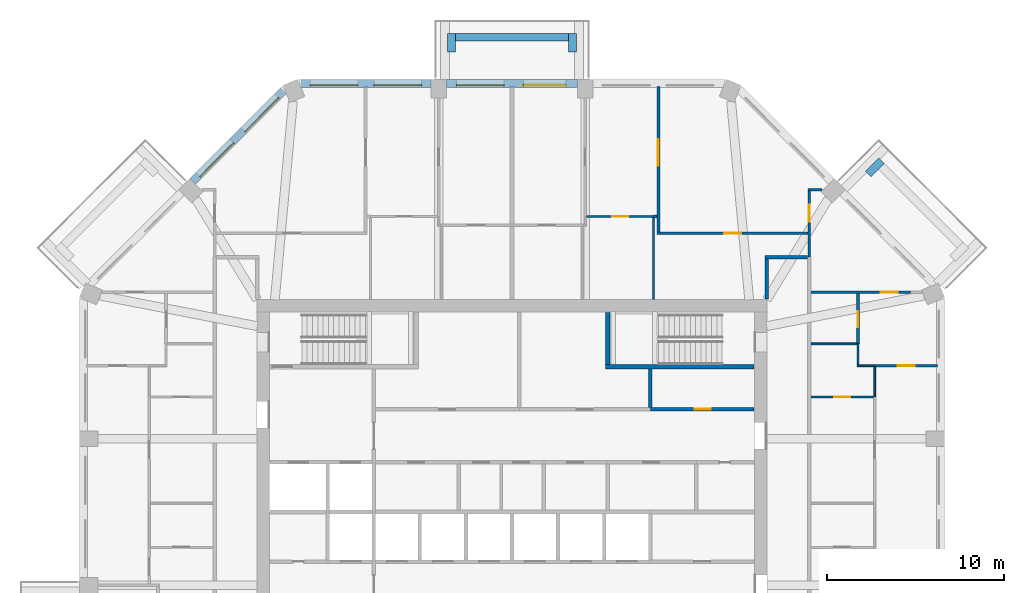
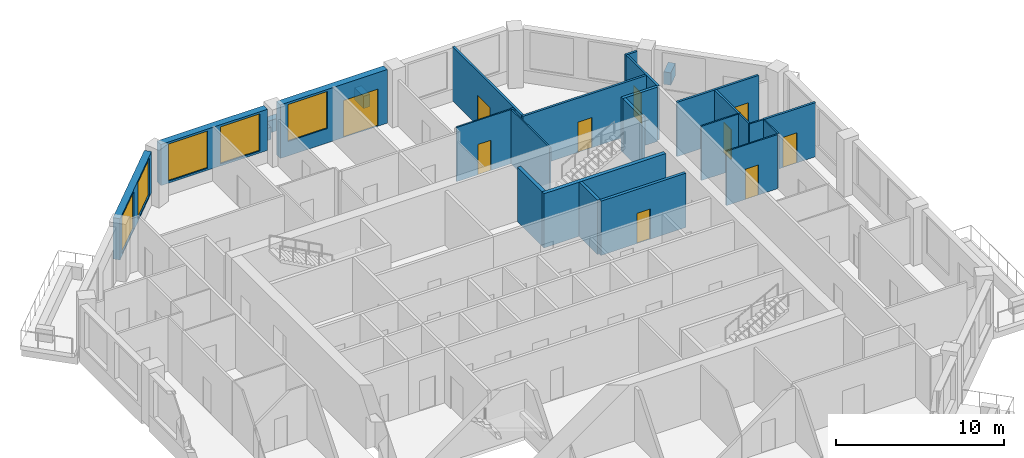
# One storey, part 8 of 10: 28 walls, 10 doors, 5 windows, 15 openings.
"""IFC4 building model written with IfcOpenShell, lengths in metres."""

from ifc_helpers import new_model, si_unit, direction, frame, frame_2d, origin, place, context, subcontext, project, spatial, rectangle, extrude, material, layer, layer_set, type_object, element, fill, save


model = new_model("IFC4")

# Units and contexts
model_context = context("Model", 3, precision=1e-05, world=origin(), true_north=direction((0.0, 1.0)))
body_context = subcontext(model_context, "Body", "Model", "MODEL_VIEW")
ifc_project = project(units=[si_unit("LENGTHUNIT", "METRE"), si_unit("AREAUNIT", "SQUARE_METRE"), si_unit("VOLUMEUNIT", "CUBIC_METRE"), si_unit("PLANEANGLEUNIT", "RADIAN"), si_unit("MASSUNIT", "GRAM", prefix="KILO")], contexts=[model_context])

# Site, building, storey
site_placement = place(None, origin())
site = spatial("IfcSite", under=ifc_project, at=site_placement, CompositionType="ELEMENT")
building_placement = place(site_placement, origin())
building = spatial("IfcBuilding", under=site, at=building_placement, Name="Msitu Wima Residences", CompositionType="ELEMENT")
storey_placement = place(building_placement, frame((0.0, 0.0, 195.89990234375)))
storey = spatial("IfcBuildingStorey", under=building, at=storey_placement, Name="L45", CompositionType="ELEMENT", Elevation=195.89990234375)

# Walls
ifc_material_1 = material(Name="Facing brick")
ifc_layer_1 = layer(ifc_material_1, 0.06494140625, Name="Facing brick")
ifc_material_2 = material(Name="Concrete C40/50", Category="concrete")
ifc_layer_2 = layer(ifc_material_2, 0.156005859375, Name="Concrete C40/50")
ifc_material_3 = material(Name="Waterproofing membrane")
ifc_layer_3 = layer(ifc_material_3, 0.00390625, Name="Waterproofing membrane")
ifc_material_4 = material(Name="Planting soil and planting")
ifc_layer_4 = layer(ifc_material_4, 0.22509765625, Name="Planting soil and planting")
ifc_layer_set_1 = layer_set([ifc_layer_1, ifc_layer_2, ifc_layer_3, ifc_layer_4], Name="Concrete C40/50")
wall_type_1 = type_object("IfcWallType", Name="Balcony planter PLANTER PL450", PredefinedType="USERDEFINED", material=ifc_layer_set_1)
wall_1_placement = place(storey_placement, frame((20.1328125, 19.107421875, 0.0), z_axis=(0.0, 0.0, 1.0), x_axis=(0.707106781187, 0.707106781187, 0.0)))
element("IfcWall", 1, at=wall_1_placement, inside=storey, type_object=wall_type_1, Name="Balcony planter NE0 L45", ObjectType="PLANTER", PredefinedType="USERDEFINED", context=body_context, shape_type="SweptSolid", body=[
    extrude(rectangle(XDim=1.050048828125, YDim=0.449951171875, at=frame_2d((0.52490234375, 0.0))), origin(), (0.0, 0.0, 1.0), 0.900146484375),
])
wall_2_placement = place(storey_placement, frame((3.187255859375, 26.824951171875, 0.0), z_axis=(0.0, 0.0, 1.0), x_axis=(-1.0, 0.0, 0.0)))
element("IfcWall", 2, at=wall_2_placement, inside=storey, type_object=wall_type_1, Name="Balcony planter N1 L45", ObjectType="PLANTER", PredefinedType="USERDEFINED", context=body_context, shape_type="SweptSolid", body=[
    extrude(rectangle(XDim=6.37451171875, YDim=0.449951171875, at=frame_2d((3.187255859375, 0.0))), origin(), (0.0, 0.0, 1.0), 0.900146484375),
])
for number, where, z_axis, x_axis, name in (
    (3, (3.412353515625, 26.0, 0.0), (0.0, 0.0, 1.0), (0.0, 1.0, 0.0), "Balcony planter N1 L45"),
    (4, (-3.412353515625, 26.0, 0.0), (0.0, 0.0, 1.0), (0.0, 1.0, 0.0), "Balcony planter N1 L45"),
):
    element("IfcWall", number, at=place(storey_placement, frame(where, z_axis=z_axis, x_axis=x_axis)), inside=storey, type_object=wall_type_1, Name=name, ObjectType="PLANTER", PredefinedType="USERDEFINED", context=body_context, shape_type="SweptSolid", body=[
        extrude(rectangle(XDim=1.050048828125, YDim=0.449951171875, at=frame_2d((0.52490234375, 0.0))), origin(), (0.0, 0.0, 1.0), 0.900146484375),
    ])

# Wall, openings, door, window
ifc_material_5 = material(Name="Brick (red buff mix)", Category="masonry")
ifc_layer_5 = layer(ifc_material_5, 0.449951171875)
ifc_layer_set_2 = layer_set([ifc_layer_5], Name="Brick (red buff mix)")
wall_type_2 = type_object("IfcWallType", Name="Brick infill wall BW450", PredefinedType="SOLIDWALL", material=ifc_layer_set_2)
wall_3_placement = place(storey_placement, frame((3.687255859375, 24.22509765625, 0.0), z_axis=(0.0, 0.0, 1.0), x_axis=(-1.0, 0.0, 0.0)))
wall_3 = element("IfcWall", 5, at=wall_3_placement, inside=storey, type_object=wall_type_2, Name="Brick infill wall L45 N1", PredefinedType="SOLIDWALL", context=body_context, shape_type="SweptSolid", body=[
    extrude(rectangle(XDim=7.37451171875, YDim=0.449951171875, at=frame_2d((3.687255859375, 0.0))), origin(), (0.0, 0.0, 1.0), 3.900146484375),
])
opening_1_placement = place(wall_3_placement, frame((0.6435546875, 0.0, 0.0)))
opening_1 = element("IfcOpeningElement", 6, at=opening_1_placement, cuts=wall_3, Name="Opening D43-45.002", PredefinedType="OPENING", context=body_context, shape_type="SweptSolid", body=[
    extrude(rectangle(XDim=2.39990234375, YDim=2.699951171875, at=frame_2d((1.199951171875, 1.35009765625))), frame((0.0, 0.23486328125, 0.0), z_axis=(0.0, -1.0, 0.0), x_axis=(1.0, 0.0, 0.0)), (0.0, 0.0, 1.0), 0.469970703125),
])
opening_2_placement = place(wall_3_placement, frame((4.13720703125, 0.0, 1.050048828125)))
opening_2 = element("IfcOpeningElement", 7, at=opening_2_placement, cuts=wall_3, Name="Opening W43-45.008", PredefinedType="OPENING", context=body_context, shape_type="SweptSolid", body=[
    extrude(rectangle(XDim=2.699951171875, YDim=2.699951171875, at=frame_2d((1.35009765625, 1.35009765625))), frame((0.0, 0.23486328125, 0.0), z_axis=(0.0, -1.0, 0.0), x_axis=(1.0, 0.0, 0.0)), (0.0, 0.0, 1.0), 0.469970703125),
])
ifc_material_6 = material(Name="Anodised aluminium, bronze finish, clear low-emissivity double glazing", Category="aluminium")
door_type_1 = type_object("IfcDoorType", Name="Balcony door D2400x2700", OperationType="SLIDING_TO_LEFT", PredefinedType="DOOR", material=ifc_material_6)
door_1_placement = place(opening_1_placement, origin())
door_1 = element("IfcDoor", 8, at=door_1_placement, inside=storey, type_object=door_type_1, Name="Balcony door L45 N1", OperationType="SINGLE_SWING_LEFT", OverallHeight=2.699951171875, OverallWidth=2.39990234375, PredefinedType="DOOR", context=body_context, shape_type="SweptSolid", body=[
    extrude(rectangle(XDim=2.39990234375, YDim=2.699951171875, at=frame_2d((1.199951171875, 1.35009765625))), frame((0.0, 0.1298828125, 0.0), z_axis=(0.0, -1.0, 0.0), x_axis=(1.0, 0.0, 0.0)), (0.0, 0.0, 1.0), 0.050048828125),
])
fill(opening_1, door_1)
window_type = type_object("IfcWindowType", Name="Window W2700x2700", PartitioningType="DOUBLE_PANEL_VERTICAL", PredefinedType="WINDOW", material=ifc_material_6)
window_1_placement = place(opening_2_placement, origin())
window_1 = element("IfcWindow", 9, at=window_1_placement, inside=storey, type_object=window_type, Name="Window L45 N1.2", OverallHeight=2.699951171875, OverallWidth=2.699951171875, PartitioningType="SINGLE_PANEL", PredefinedType="WINDOW", context=body_context, shape_type="SweptSolid", body=[
    extrude(rectangle(XDim=2.699951171875, YDim=2.699951171875, at=frame_2d((1.35009765625, 1.35009765625))), frame((0.0, 0.135009765625, 0.0), z_axis=(0.0, -1.0, 0.0), x_axis=(1.0, 0.0, 0.0)), (0.0, 0.0, 1.0), 0.06005859375),
])
fill(opening_2, window_1)

# Wall, openings, windows
wall_4_placement = place(storey_placement, frame((-4.587158203125, 24.22509765625, 0.900146484375), z_axis=(0.0, 0.0, 1.0), x_axis=(-1.0, 0.0, 0.0)))
wall_4 = element("IfcWall", 10, at=wall_4_placement, inside=storey, type_object=wall_type_2, Name="Brick infill wall L45 N2", PredefinedType="SOLIDWALL", context=body_context, shape_type="SweptSolid", body=[
    extrude(rectangle(XDim=7.337646484375, YDim=0.449951171875, at=frame_2d((3.6689453125, 0.0))), origin(), (0.0, 0.0, 1.0), 3.0),
])
opening_3_placement = place(wall_4_placement, frame((0.518798828125, 0.0, 0.14990234375)))
opening_3 = element("IfcOpeningElement", 11, at=opening_3_placement, cuts=wall_4, Name="Opening W43-45.009", PredefinedType="OPENING", context=body_context, shape_type="SweptSolid", body=[
    extrude(rectangle(XDim=2.699951171875, YDim=2.699951171875, at=frame_2d((1.35009765625, 1.35009765625))), frame((0.0, 0.23486328125, 0.0), z_axis=(0.0, -1.0, 0.0), x_axis=(1.0, 0.0, 0.0)), (0.0, 0.0, 1.0), 0.469970703125),
])
opening_4_placement = place(wall_4_placement, frame((4.11865234375, 0.0, 0.14990234375)))
opening_4 = element("IfcOpeningElement", 12, at=opening_4_placement, cuts=wall_4, Name="Opening W43-45.010", PredefinedType="OPENING", context=body_context, shape_type="SweptSolid", body=[
    extrude(rectangle(XDim=2.699951171875, YDim=2.699951171875, at=frame_2d((1.35009765625, 1.35009765625))), frame((0.0, 0.23486328125, 0.0), z_axis=(0.0, -1.0, 0.0), x_axis=(1.0, 0.0, 0.0)), (0.0, 0.0, 1.0), 0.469970703125),
])
window_2_placement = place(opening_3_placement, origin())
window_2 = element("IfcWindow", 13, at=window_2_placement, inside=storey, type_object=window_type, Name="Window L45 N2.1", OverallHeight=2.699951171875, OverallWidth=2.699951171875, PartitioningType="SINGLE_PANEL", PredefinedType="WINDOW", context=body_context, shape_type="SweptSolid", body=[
    extrude(rectangle(XDim=2.699951171875, YDim=2.699951171875, at=frame_2d((1.35009765625, 1.35009765625))), frame((0.0, 0.135009765625, 0.0), z_axis=(0.0, -1.0, 0.0), x_axis=(1.0, 0.0, 0.0)), (0.0, 0.0, 1.0), 0.06005859375),
])
fill(opening_3, window_2)
window_3_placement = place(opening_4_placement, origin())
window_3 = element("IfcWindow", 14, at=window_3_placement, inside=storey, type_object=window_type, Name="Window L45 N2.2", OverallHeight=2.699951171875, OverallWidth=2.699951171875, PartitioningType="SINGLE_PANEL", PredefinedType="WINDOW", context=body_context, shape_type="SweptSolid", body=[
    extrude(rectangle(XDim=2.699951171875, YDim=2.699951171875, at=frame_2d((1.35009765625, 1.35009765625))), frame((0.0, 0.135009765625, 0.0), z_axis=(0.0, -1.0, 0.0), x_axis=(1.0, 0.0, 0.0)), (0.0, 0.0, 1.0), 0.06005859375),
])
fill(opening_4, window_3)

wall_5_placement = place(storey_placement, frame((-12.915283203125, 23.814697265625, 0.900146484375), z_axis=(0.0, 0.0, 1.0), x_axis=(-0.707106781187, -0.707106781187, 0.0)))
wall_5 = element("IfcWall", 15, at=wall_5_placement, inside=storey, type_object=wall_type_2, Name="Brick infill wall L45 NW0", PredefinedType="SOLIDWALL", context=body_context, shape_type="SweptSolid", body=[
    extrude(rectangle(XDim=7.257080078125, YDim=0.449951171875, at=frame_2d((3.62841796875, 0.0))), origin(), (0.0, 0.0, 1.0), 3.0),
])
opening_5_placement = place(wall_5_placement, frame((0.478515625, 0.0, 0.14990234375)))
opening_5 = element("IfcOpeningElement", 16, at=opening_5_placement, cuts=wall_5, Name="Opening W43-45.014", PredefinedType="OPENING", context=body_context, shape_type="SweptSolid", body=[
    extrude(rectangle(XDim=2.699951171875, YDim=2.699951171875, at=frame_2d((1.35009765625, 1.35009765625))), frame((0.0, 0.23486328125, 0.0), z_axis=(0.0, -1.0, 0.0), x_axis=(1.0, 0.0, 0.0)), (0.0, 0.0, 1.0), 0.469970703125),
])
opening_6_placement = place(wall_5_placement, frame((4.07861328125, 0.0, 0.14990234375)))
opening_6 = element("IfcOpeningElement", 17, at=opening_6_placement, cuts=wall_5, Name="Opening W43-45.015", PredefinedType="OPENING", context=body_context, shape_type="SweptSolid", body=[
    extrude(rectangle(XDim=2.699951171875, YDim=2.699951171875, at=frame_2d((1.35009765625, 1.35009765625))), frame((0.0, 0.23486328125, 0.0), z_axis=(0.0, -1.0, 0.0), x_axis=(1.0, 0.0, 0.0)), (0.0, 0.0, 1.0), 0.469970703125),
])
window_4_placement = place(opening_5_placement, origin())
window_4 = element("IfcWindow", 18, at=window_4_placement, inside=storey, type_object=window_type, Name="Window L45 NW0.1", OverallHeight=2.699951171875, OverallWidth=2.699951171875, PartitioningType="SINGLE_PANEL", PredefinedType="WINDOW", context=body_context, shape_type="SweptSolid", body=[
    extrude(rectangle(XDim=2.699951171875, YDim=2.699951171875, at=frame_2d((1.35009765625, 1.35009765625))), frame((0.0, 0.135009765625, 0.0), z_axis=(0.0, -1.0, 0.0), x_axis=(1.0, 0.0, 0.0)), (0.0, 0.0, 1.0), 0.06005859375),
])
fill(opening_5, window_4)
window_5_placement = place(opening_6_placement, origin())
window_5 = element("IfcWindow", 19, at=window_5_placement, inside=storey, type_object=window_type, Name="Window L45 NW0.2", OverallHeight=2.699951171875, OverallWidth=2.699951171875, PartitioningType="SINGLE_PANEL", PredefinedType="WINDOW", context=body_context, shape_type="SweptSolid", body=[
    extrude(rectangle(XDim=2.699951171875, YDim=2.699951171875, at=frame_2d((1.35009765625, 1.35009765625))), frame((0.0, 0.135009765625, 0.0), z_axis=(0.0, -1.0, 0.0), x_axis=(1.0, 0.0, 0.0)), (0.0, 0.0, 1.0), 0.06005859375),
])
fill(opening_6, window_5)

# Wall, opening, door
ifc_material_7 = material(Name="Plaster")
ifc_layer_6 = layer(ifc_material_7, 0.011962890625, Name="Plaster")
ifc_material_8 = material(Name="Concrete blockwork", Category="masonry")
ifc_layer_7 = layer(ifc_material_8, 0.176025390625, Name="Concrete blockwork")
ifc_layer_8 = layer(ifc_material_7, 0.011962890625, Name="Plaster")
ifc_layer_set_3 = layer_set([ifc_layer_6, ifc_layer_7, ifc_layer_8], Name="Concrete blockwork")
wall_type_3 = type_object("IfcWallType", Name="Corridor wall FW200", PredefinedType="PARTITIONING", material=ifc_layer_set_3)
wall_6_placement = place(storey_placement, frame((7.820068359375, 5.800048828125, 0.0), z_axis=(0.0, 0.0, 1.0), x_axis=(1.0, 0.0, 0.0)))
wall_6 = element("IfcWall", 20, at=wall_6_placement, inside=storey, type_object=wall_type_3, Name="Corridor wall", PredefinedType="PARTITIONING", context=body_context, shape_type="SweptSolid", body=[
    extrude(rectangle(XDim=5.849853515625, YDim=0.199951171875, at=frame_2d((2.9248046875, 0.0))), origin(), (0.0, 0.0, 1.0), 3.9501953125),
])
opening_7_placement = place(wall_6_placement, frame((2.5, 0.0, 0.0)))
opening_7 = element("IfcOpeningElement", 21, at=opening_7_placement, cuts=wall_6, Name="Opening D43-45.057", PredefinedType="OPENING", context=body_context, shape_type="SweptSolid", body=[
    extrude(rectangle(XDim=0.89990234375, YDim=2.199951171875, at=frame_2d((0.449951171875, 1.10009765625))), frame((0.0, 0.10986328125, 0.0), z_axis=(0.0, -1.0, 0.0), x_axis=(1.0, 0.0, 0.0)), (0.0, 0.0, 1.0), 0.219970703125),
])
ifc_material_9 = material(Name="Timber flush door", Category="wood")
door_type_2 = type_object("IfcDoorType", Name="Service door D05 900x2200", OperationType="SINGLE_SWING_LEFT", PredefinedType="DOOR", material=ifc_material_9)
door_2_placement = place(opening_7_placement, origin())
door_2 = element("IfcDoor", 22, at=door_2_placement, inside=storey, type_object=door_type_2, Name="Service door", OperationType="SINGLE_SWING_LEFT", OverallHeight=2.199951171875, OverallWidth=0.89990234375, PredefinedType="DOOR", context=body_context, shape_type="SweptSolid", body=[
    extrude(rectangle(XDim=0.89990234375, YDim=2.199951171875, at=frame_2d((0.449951171875, 1.10009765625))), frame((0.0, 0.02490234375, 0.0), z_axis=(0.0, -1.0, 0.0), x_axis=(1.0, 0.0, 0.0)), (0.0, 0.0, 1.0), 0.050048828125),
])
fill(opening_7, door_2)

# Walls
wall_7_placement = place(storey_placement, frame((14.39990234375, 12.030029296875, 0.0), z_axis=(0.0, 0.0, 1.0), x_axis=(0.0, 1.0, 0.0)))
element("IfcWall", 23, at=wall_7_placement, inside=storey, type_object=wall_type_3, Name="Corridor wall", PredefinedType="PARTITIONING", context=body_context, shape_type="SweptSolid", body=[
    extrude(rectangle(XDim=2.27001953125, YDim=0.199951171875, at=frame_2d((1.135009765625, 0.0))), origin(), (0.0, 0.0, 1.0), 3.9501953125),
])
wall_8_placement = place(storey_placement, frame((14.300048828125, 14.39990234375, 0.0), z_axis=(0.0, 0.0, 1.0), x_axis=(1.0, 0.0, 0.0)))
element("IfcWall", 24, at=wall_8_placement, inside=storey, type_object=wall_type_3, Name="Corridor wall", PredefinedType="PARTITIONING", context=body_context, shape_type="SweptSolid", body=[
    extrude(rectangle(XDim=2.39990234375, YDim=0.199951171875, at=frame_2d((1.199951171875, 0.0))), origin(), (0.0, 0.0, 1.0), 3.9501953125),
])
ifc_layer_9 = layer(ifc_material_7, 0.011962890625, Name="Plaster")
ifc_layer_10 = layer(ifc_material_8, 0.1259765625, Name="Concrete blockwork")
ifc_layer_11 = layer(ifc_material_7, 0.011962890625, Name="Plaster")
ifc_layer_set_4 = layer_set([ifc_layer_9, ifc_layer_10, ifc_layer_11], Name="Concrete blockwork")
wall_type_4 = type_object("IfcWallType", Name="Partition PW150", PredefinedType="PARTITIONING", material=ifc_layer_set_4)
wall_9_placement = place(storey_placement, frame((8.0, 16.699951171875, 0.0), z_axis=(0.0, 0.0, 1.0), x_axis=(1.0, 0.0, 0.0)))
element("IfcWall", 25, at=wall_9_placement, inside=storey, type_object=wall_type_4, Name="Partition", PredefinedType="PARTITIONING", context=body_context, shape_type="SweptSolid", body=[
    extrude(rectangle(XDim=0.199462890625, YDim=0.14990234375, at=frame_2d((0.099609375, 0.0))), origin(), (0.0, 0.0, 1.0), 3.9501953125),
])

# Wall, opening, door
wall_10_placement = place(storey_placement, frame((8.2744140625, 15.824951171875, 0.0), z_axis=(0.0, 0.0, 1.0), x_axis=(0.0, 1.0, 0.0)))
wall_10 = element("IfcWall", 26, at=wall_10_placement, inside=storey, type_object=wall_type_4, Name="Partition", PredefinedType="PARTITIONING", context=body_context, shape_type="SweptSolid", body=[
    extrude(rectangle(XDim=8.22998046875, YDim=0.14990234375, at=frame_2d((4.114990234375, 0.0))), origin(), (0.0, 0.0, 1.0), 3.9501953125),
])
opening_8_placement = place(wall_10_placement, frame((3.75, 0.0, 0.0)))
opening_8 = element("IfcOpeningElement", 27, at=opening_8_placement, cuts=wall_10, Name="Opening D43-45.015", PredefinedType="OPENING", context=body_context, shape_type="SweptSolid", body=[
    extrude(rectangle(XDim=1.5, YDim=2.199951171875, at=frame_2d((0.75, 1.10009765625))), frame((0.0, 0.0849609375, 0.0), z_axis=(0.0, -1.0, 0.0), x_axis=(1.0, 0.0, 0.0)), (0.0, 0.0, 1.0), 0.169921875),
])
ifc_material_10 = material(Name="Timber double door", Category="wood")
door_type_3 = type_object("IfcDoorType", Name="Double door D04 1500x2200", OperationType="DOUBLE_DOOR_SINGLE_SWING", PredefinedType="DOOR", material=ifc_material_10)
door_3_placement = place(opening_8_placement, origin())
door_3 = element("IfcDoor", 28, at=door_3_placement, inside=storey, type_object=door_type_3, Name="Double door", OperationType="DOUBLE_DOOR_SINGLE_SWING", OverallHeight=2.199951171875, OverallWidth=1.5, PredefinedType="DOOR", context=body_context, shape_type="SweptSolid", body=[
    extrude(rectangle(XDim=1.5, YDim=2.199951171875, at=frame_2d((0.75, 1.10009765625))), frame((0.0, 0.02490234375, 0.0), z_axis=(0.0, -1.0, 0.0), x_axis=(1.0, 0.0, 0.0)), (0.0, 0.0, 1.0), 0.050048828125),
])
fill(opening_8, door_3)

wall_11_placement = place(storey_placement, frame((8.199462890625, 15.75, 0.0), z_axis=(0.0, 0.0, 1.0), x_axis=(1.0, 0.0, 0.0)))
wall_11 = element("IfcWall", 29, at=wall_11_placement, inside=storey, type_object=wall_type_4, Name="Partition", PredefinedType="PARTITIONING", context=body_context, shape_type="SweptSolid", body=[
    extrude(rectangle(XDim=8.525634765625, YDim=0.14990234375, at=frame_2d((4.2626953125, 0.0))), origin(), (0.0, 0.0, 1.0), 3.9501953125),
])
opening_9_placement = place(wall_11_placement, frame((3.800048828125, 0.0, 0.0)))
opening_9 = element("IfcOpeningElement", 30, at=opening_9_placement, cuts=wall_11, Name="Opening D43-45.014", PredefinedType="OPENING", context=body_context, shape_type="SweptSolid", body=[
    extrude(rectangle(XDim=0.949951171875, YDim=2.199951171875, at=frame_2d((0.47509765625, 1.10009765625))), frame((0.0, 0.0849609375, 0.0), z_axis=(0.0, -1.0, 0.0), x_axis=(1.0, 0.0, 0.0)), (0.0, 0.0, 1.0), 0.169921875),
])
door_type_4 = type_object("IfcDoorType", Name="Room door D12 950x2200", OperationType="SINGLE_SWING_LEFT", PredefinedType="DOOR", material=ifc_material_9)
door_4_placement = place(opening_9_placement, origin())
door_4 = element("IfcDoor", 31, at=door_4_placement, inside=storey, type_object=door_type_4, Name="Room door", OperationType="SINGLE_SWING_RIGHT", OverallHeight=2.199951171875, OverallWidth=0.949951171875, PredefinedType="DOOR", context=body_context, shape_type="SweptSolid", body=[
    extrude(rectangle(XDim=0.949951171875, YDim=2.199951171875, at=frame_2d((0.47509765625, 1.10009765625))), frame((0.0, 0.02490234375, 0.0), z_axis=(0.0, -1.0, 0.0), x_axis=(1.0, 0.0, 0.0)), (0.0, 0.0, 1.0), 0.050048828125),
])
fill(opening_9, door_4)

wall_12_placement = place(storey_placement, frame((16.89990234375, 12.409912109375, 0.0), z_axis=(0.0, 0.0, 1.0), x_axis=(1.0, 0.0, 0.0)))
wall_12 = element("IfcWall", 32, at=wall_12_placement, inside=storey, type_object=wall_type_4, Name="Partition", PredefinedType="PARTITIONING", context=body_context, shape_type="SweptSolid", body=[
    extrude(rectangle(XDim=5.62939453125, YDim=0.14990234375, at=frame_2d((2.814697265625, 0.0))), origin(), (0.0, 0.0, 1.0), 3.9501953125),
])
opening_10_placement = place(wall_12_placement, frame((3.949951171875, 0.0, 0.0)))
opening_10 = element("IfcOpeningElement", 33, at=opening_10_placement, cuts=wall_12, Name="Opening D43-45.025", PredefinedType="OPENING", context=body_context, shape_type="SweptSolid", body=[
    extrude(rectangle(XDim=0.949951171875, YDim=2.199951171875, at=frame_2d((0.47509765625, 1.10009765625))), frame((0.0, 0.0849609375, 0.0), z_axis=(0.0, -1.0, 0.0), x_axis=(1.0, 0.0, 0.0)), (0.0, 0.0, 1.0), 0.169921875),
])
door_5_placement = place(opening_10_placement, origin())
door_5 = element("IfcDoor", 34, at=door_5_placement, inside=storey, type_object=door_type_4, Name="Room door", OperationType="SINGLE_SWING_RIGHT", OverallHeight=2.199951171875, OverallWidth=0.949951171875, PredefinedType="DOOR", context=body_context, shape_type="SweptSolid", body=[
    extrude(rectangle(XDim=0.949951171875, YDim=2.199951171875, at=frame_2d((0.47509765625, 1.10009765625))), frame((0.0, 0.02490234375, 0.0), z_axis=(0.0, -1.0, 0.0), x_axis=(1.0, 0.0, 0.0)), (0.0, 0.0, 1.0), 0.050048828125),
])
fill(opening_10, door_5)

wall_13_placement = place(storey_placement, frame((16.800048828125, 14.39990234375, 0.0), z_axis=(0.0, 0.0, 1.0), x_axis=(0.0, 1.0, 0.0)))
wall_13 = element("IfcWall", 35, at=wall_13_placement, inside=storey, type_object=wall_type_4, Name="Partition", PredefinedType="PARTITIONING", context=body_context, shape_type="SweptSolid", body=[
    extrude(rectangle(XDim=3.73095703125, YDim=0.14990234375, at=frame_2d((1.865478515625, 0.0))), origin(), (0.0, 0.0, 1.0), 3.9501953125),
])
opening_11_placement = place(wall_13_placement, frame((2.0, 0.0, 0.0)))
opening_11 = element("IfcOpeningElement", 36, at=opening_11_placement, cuts=wall_13, Name="Opening D43-45.028", PredefinedType="OPENING", context=body_context, shape_type="SweptSolid", body=[
    extrude(rectangle(XDim=0.949951171875, YDim=2.199951171875, at=frame_2d((0.47509765625, 1.10009765625))), frame((0.0, 0.0849609375, 0.0), z_axis=(0.0, -1.0, 0.0), x_axis=(1.0, 0.0, 0.0)), (0.0, 0.0, 1.0), 0.169921875),
])
door_6_placement = place(opening_11_placement, origin())
door_6 = element("IfcDoor", 37, at=door_6_placement, inside=storey, type_object=door_type_4, Name="Room door", OperationType="SINGLE_SWING_LEFT", OverallHeight=2.199951171875, OverallWidth=0.949951171875, PredefinedType="DOOR", context=body_context, shape_type="SweptSolid", body=[
    extrude(rectangle(XDim=0.949951171875, YDim=2.199951171875, at=frame_2d((0.47509765625, 1.10009765625))), frame((0.0, 0.02490234375, 0.0), z_axis=(0.0, -1.0, 0.0), x_axis=(1.0, 0.0, 0.0)), (0.0, 0.0, 1.0), 0.050048828125),
])
fill(opening_11, door_6)

# Wall
wall_14_placement = place(storey_placement, frame((16.72509765625, 18.205810546875, 0.0), z_axis=(0.0, 0.0, 1.0), x_axis=(1.0, 0.0, 0.0)))
element("IfcWall", 38, at=wall_14_placement, inside=storey, type_object=wall_type_4, Name="Partition", PredefinedType="PARTITIONING", context=body_context, shape_type="SweptSolid", body=[
    extrude(rectangle(XDim=0.784423828125, YDim=0.14990234375, at=frame_2d((0.39208984375, 0.0))), origin(), (0.0, 0.0, 1.0), 3.9501953125),
])

# Wall, opening, door
wall_15_placement = place(storey_placement, frame((19.550048828125, 9.5, 0.0), z_axis=(0.0, 0.0, 1.0), x_axis=(0.0, 1.0, 0.0)))
wall_15 = element("IfcWall", 39, at=wall_15_placement, inside=storey, type_object=wall_type_4, Name="Partition", PredefinedType="PARTITIONING", context=body_context, shape_type="SweptSolid", body=[
    extrude(rectangle(XDim=2.8349609375, YDim=0.14990234375, at=frame_2d((1.41748046875, 0.0))), origin(), (0.0, 0.0, 1.0), 3.9501953125),
])
opening_12_placement = place(wall_15_placement, frame((0.949951171875, 0.0, 0.0)))
opening_12 = element("IfcOpeningElement", 40, at=opening_12_placement, cuts=wall_15, Name="Opening D43-45.012", PredefinedType="OPENING", context=body_context, shape_type="SweptSolid", body=[
    extrude(rectangle(XDim=0.89990234375, YDim=2.199951171875, at=frame_2d((0.449951171875, 1.10009765625))), frame((0.0, 0.0849609375, 0.0), z_axis=(0.0, -1.0, 0.0), x_axis=(1.0, 0.0, 0.0)), (0.0, 0.0, 1.0), 0.169921875),
])
door_7_placement = place(opening_12_placement, origin())
door_7 = element("IfcDoor", 41, at=door_7_placement, inside=storey, type_object=door_type_2, Name="Service door", OperationType="SINGLE_SWING_LEFT", OverallHeight=2.199951171875, OverallWidth=0.89990234375, PredefinedType="DOOR", context=body_context, shape_type="SweptSolid", body=[
    extrude(rectangle(XDim=0.89990234375, YDim=2.199951171875, at=frame_2d((0.449951171875, 1.10009765625))), frame((0.0, 0.02490234375, 0.0), z_axis=(0.0, -1.0, 0.0), x_axis=(1.0, 0.0, 0.0)), (0.0, 0.0, 1.0), 0.050048828125),
])
fill(opening_12, door_7)

wall_16_placement = place(storey_placement, frame((20.5, 8.27001953125, 0.0), z_axis=(0.0, 0.0, 1.0), x_axis=(1.0, 0.0, 0.0)))
wall_16 = element("IfcWall", 42, at=wall_16_placement, inside=storey, type_object=wall_type_4, Name="Partition", PredefinedType="PARTITIONING", context=body_context, shape_type="SweptSolid", body=[
    extrude(rectangle(XDim=3.554931640625, YDim=0.14990234375, at=frame_2d((1.77734375, 0.0))), origin(), (0.0, 0.0, 1.0), 3.9501953125),
])
opening_13_placement = place(wall_16_placement, frame((1.300048828125, 0.0, 0.0)))
opening_13 = element("IfcOpeningElement", 43, at=opening_13_placement, cuts=wall_16, Name="Opening D43-45.024", PredefinedType="OPENING", context=body_context, shape_type="SweptSolid", body=[
    extrude(rectangle(XDim=0.949951171875, YDim=2.199951171875, at=frame_2d((0.47509765625, 1.10009765625))), frame((0.0, 0.0849609375, 0.0), z_axis=(0.0, -1.0, 0.0), x_axis=(1.0, 0.0, 0.0)), (0.0, 0.0, 1.0), 0.169921875),
])
door_8_placement = place(opening_13_placement, origin())
door_8 = element("IfcDoor", 44, at=door_8_placement, inside=storey, type_object=door_type_4, Name="Room door", OperationType="SINGLE_SWING_RIGHT", OverallHeight=2.199951171875, OverallWidth=0.949951171875, PredefinedType="DOOR", context=body_context, shape_type="SweptSolid", body=[
    extrude(rectangle(XDim=0.949951171875, YDim=2.199951171875, at=frame_2d((0.47509765625, 1.10009765625))), frame((0.0, 0.02490234375, 0.0), z_axis=(0.0, -1.0, 0.0), x_axis=(1.0, 0.0, 0.0)), (0.0, 0.0, 1.0), 0.050048828125),
])
fill(opening_13, door_8)

# Walls
ifc_layer_12 = layer(ifc_material_7, 0.011962890625, Name="Plaster")
ifc_material_11 = material(Name="Reinforced concrete blockwork", Category="masonry")
ifc_layer_13 = layer(ifc_material_11, 0.176025390625, Name="Reinforced concrete blockwork")
ifc_layer_14 = layer(ifc_material_7, 0.011962890625, Name="Plaster")
ifc_layer_set_5 = layer_set([ifc_layer_12, ifc_layer_13, ifc_layer_14], Name="Reinforced concrete blockwork")
wall_type_5 = type_object("IfcWallType", Name="Plant and riser wall PL200", PredefinedType="PARTITIONING", material=ifc_layer_set_5)
wall_17_placement = place(storey_placement, frame((7.800048828125, 5.89990234375, 0.0), z_axis=(0.0, 0.0, 1.0), x_axis=(0.0, 1.0, 0.0)))
element("IfcWall", 45, at=wall_17_placement, inside=storey, type_object=wall_type_5, Name="Plant and riser wall", PredefinedType="PARTITIONING", context=body_context, shape_type="SweptSolid", body=[
    extrude(rectangle(XDim=2.175048828125, YDim=0.199951171875, at=frame_2d((1.08740234375, 0.0))), origin(), (0.0, 0.0, 1.0), 3.9501953125),
])
ifc_material_12 = material(Name="Concrete C50/60", Category="concrete")
ifc_layer_15 = layer(ifc_material_12, 0.25)
ifc_layer_set_6 = layer_set([ifc_layer_15], Name="Concrete C50/60")
wall_type_6 = type_object("IfcWallType", Name="Stair enclosure wall SW250", PredefinedType="SHEAR", material=ifc_layer_set_6)
wall_18_placement = place(storey_placement, frame((5.39990234375, 8.324951171875, 0.0), z_axis=(0.0, 0.0, 1.0), x_axis=(0.0, 1.0, 0.0)))
element("IfcWall", 46, at=wall_18_placement, inside=storey, type_object=wall_type_6, Name="Stair enclosure wall", PredefinedType="SHEAR", context=body_context, shape_type="SweptSolid", body=[
    extrude(rectangle(XDim=2.945068359375, YDim=0.25, at=frame_2d((1.47265625, 0.0))), origin(), (0.0, 0.0, 1.0), 3.9501953125),
])
wall_19_placement = place(storey_placement, frame((5.27490234375, 8.199951171875, 0.0), z_axis=(0.0, 0.0, 1.0), x_axis=(1.0, 0.0, 0.0)))
element("IfcWall", 47, at=wall_19_placement, inside=storey, type_object=wall_type_6, Name="Stair enclosure wall", PredefinedType="SHEAR", context=body_context, shape_type="SweptSolid", body=[
    extrude(rectangle(XDim=8.39501953125, YDim=0.25, at=frame_2d((4.197509765625, 0.0))), origin(), (0.0, 0.0, 1.0), 3.9501953125),
])

# Wall, opening, door
ifc_material_13 = material(Name="Ceramic tiles")
ifc_layer_16 = layer(ifc_material_13, 0.008056640625, Name="Ceramic tiles")
ifc_material_14 = material(Name="Moisture-resistant board")
ifc_layer_17 = layer(ifc_material_14, 0.012451171875, Name="Moisture-resistant board")
ifc_material_15 = material(Name="Light-gauge stud framing with mineral wool")
ifc_layer_18 = layer(ifc_material_15, 0.06689453125, Name="Light-gauge stud framing with mineral wool")
ifc_layer_19 = layer(ifc_material_14, 0.012451171875, Name="Moisture-resistant board")
ifc_layer_set_7 = layer_set([ifc_layer_16, ifc_layer_17, ifc_layer_18, ifc_layer_19], Name="Light-gauge stud framing with mineral wool")
wall_type_7 = type_object("IfcWallType", Name="Wet wall PW100", PredefinedType="PARTITIONING", material=ifc_layer_set_7)
wall_20_placement = place(storey_placement, frame((4.212158203125, 16.699951171875, 0.0), z_axis=(0.0, 0.0, 1.0), x_axis=(1.0, 0.0, 0.0)))
wall_20 = element("IfcWall", 48, at=wall_20_placement, inside=storey, type_object=wall_type_7, Name="Wet wall", PredefinedType="PARTITIONING", context=body_context, shape_type="SweptSolid", body=[
    extrude(rectangle(XDim=3.787841796875, YDim=0.10009765625, at=frame_2d((1.89404296875, 0.0))), origin(), (0.0, 0.0, 1.0), 3.9501953125),
])
opening_14_placement = place(wall_20_placement, frame((1.449951171875, 0.0, 0.0)))
opening_14 = element("IfcOpeningElement", 49, at=opening_14_placement, cuts=wall_20, Name="Opening D43-45.018", PredefinedType="OPENING", context=body_context, shape_type="SweptSolid", body=[
    extrude(rectangle(XDim=0.89990234375, YDim=2.199951171875, at=frame_2d((0.449951171875, 1.10009765625))), frame((0.0, 0.06005859375, 0.0), z_axis=(0.0, -1.0, 0.0), x_axis=(1.0, 0.0, 0.0)), (0.0, 0.0, 1.0), 0.1201171875),
])
ifc_material_16 = material(Name="Timber flush door, moisture resistant", Category="wood")
door_type_5 = type_object("IfcDoorType", Name="Bathroom door D03 900x2200", OperationType="SINGLE_SWING_LEFT", PredefinedType="DOOR", material=ifc_material_16)
door_9_placement = place(opening_14_placement, origin())
door_9 = element("IfcDoor", 50, at=door_9_placement, inside=storey, type_object=door_type_5, Name="Bathroom door", OperationType="SINGLE_SWING_LEFT", OverallHeight=2.199951171875, OverallWidth=0.89990234375, PredefinedType="DOOR", context=body_context, shape_type="SweptSolid", body=[
    extrude(rectangle(XDim=0.89990234375, YDim=2.199951171875, at=frame_2d((0.449951171875, 1.10009765625))), frame((0.0, 0.02490234375, 0.0), z_axis=(0.0, -1.0, 0.0), x_axis=(1.0, 0.0, 0.0)), (0.0, 0.0, 1.0), 0.050048828125),
])
fill(opening_14, door_9)

# Wall
wall_21_placement = place(storey_placement, frame((8.0, 12.030029296875, 0.0), z_axis=(0.0, 0.0, 1.0), x_axis=(0.0, 1.0, 0.0)))
element("IfcWall", 51, at=wall_21_placement, inside=storey, type_object=wall_type_7, Name="Wet wall", PredefinedType="PARTITIONING", context=body_context, shape_type="SweptSolid", body=[
    extrude(rectangle(XDim=4.594970703125, YDim=0.10009765625, at=frame_2d((2.29736328125, 0.0))), origin(), (0.0, 0.0, 1.0), 3.9501953125),
])

# Wall, opening, door
wall_22_placement = place(storey_placement, frame((16.89990234375, 6.5, 0.0), z_axis=(0.0, 0.0, 1.0), x_axis=(1.0, 0.0, 0.0)))
wall_22 = element("IfcWall", 52, at=wall_22_placement, inside=storey, type_object=wall_type_7, Name="Wet wall", PredefinedType="PARTITIONING", context=body_context, shape_type="SweptSolid", body=[
    extrude(rectangle(XDim=3.525146484375, YDim=0.10009765625, at=frame_2d((1.7626953125, 0.0))), origin(), (0.0, 0.0, 1.0), 3.9501953125),
])
opening_15_placement = place(wall_22_placement, frame((1.300048828125, 0.0, 0.0)))
opening_15 = element("IfcOpeningElement", 53, at=opening_15_placement, cuts=wall_22, Name="Opening D43-45.011", PredefinedType="OPENING", context=body_context, shape_type="SweptSolid", body=[
    extrude(rectangle(XDim=0.89990234375, YDim=2.199951171875, at=frame_2d((0.449951171875, 1.10009765625))), frame((0.0, 0.06005859375, 0.0), z_axis=(0.0, -1.0, 0.0), x_axis=(1.0, 0.0, 0.0)), (0.0, 0.0, 1.0), 0.1201171875),
])
door_10_placement = place(opening_15_placement, origin())
door_10 = element("IfcDoor", 54, at=door_10_placement, inside=storey, type_object=door_type_2, Name="Service door", OperationType="SINGLE_SWING_RIGHT", OverallHeight=2.199951171875, OverallWidth=0.89990234375, PredefinedType="DOOR", context=body_context, shape_type="SweptSolid", body=[
    extrude(rectangle(XDim=0.89990234375, YDim=2.199951171875, at=frame_2d((0.449951171875, 1.10009765625))), frame((0.0, 0.02490234375, 0.0), z_axis=(0.0, -1.0, 0.0), x_axis=(1.0, 0.0, 0.0)), (0.0, 0.0, 1.0), 0.050048828125),
])
fill(opening_15, door_10)

# Walls
wall_23_placement = place(storey_placement, frame((16.89990234375, 9.5, 0.0), z_axis=(0.0, 0.0, 1.0), x_axis=(1.0, 0.0, 0.0)))
element("IfcWall", 55, at=wall_23_placement, inside=storey, type_object=wall_type_7, Name="Wet wall", PredefinedType="PARTITIONING", context=body_context, shape_type="SweptSolid", body=[
    extrude(rectangle(XDim=2.5751953125, YDim=0.10009765625, at=frame_2d((1.28759765625, 0.0))), origin(), (0.0, 0.0, 1.0), 3.9501953125),
])
wall_24_placement = place(storey_placement, frame((19.550048828125, 8.320068359375, 0.0), z_axis=(0.0, 0.0, 1.0), x_axis=(0.0, 1.0, 0.0)))
element("IfcWall", 56, at=wall_24_placement, inside=storey, type_object=wall_type_7, Name="Wet wall", PredefinedType="PARTITIONING", context=body_context, shape_type="SweptSolid", body=[
    extrude(rectangle(XDim=1.179931640625, YDim=0.10009765625, at=frame_2d((0.58984375, 0.0))), origin(), (0.0, 0.0, 1.0), 3.9501953125),
])
wall_25_placement = place(storey_placement, frame((19.5, 8.27001953125, 0.0), z_axis=(0.0, 0.0, 1.0), x_axis=(1.0, 0.0, 0.0)))
element("IfcWall", 57, at=wall_25_placement, inside=storey, type_object=wall_type_7, Name="Wet wall", PredefinedType="PARTITIONING", context=body_context, shape_type="SweptSolid", body=[
    extrude(rectangle(XDim=1.0, YDim=0.10009765625, at=frame_2d((0.5, 0.0))), origin(), (0.0, 0.0, 1.0), 3.9501953125),
])
wall_26_placement = place(storey_placement, frame((20.5, 6.5, 0.0), z_axis=(0.0, 0.0, 1.0), x_axis=(0.0, 1.0, 0.0)))
element("IfcWall", 58, at=wall_26_placement, inside=storey, type_object=wall_type_7, Name="Wet wall", PredefinedType="PARTITIONING", context=body_context, shape_type="SweptSolid", body=[
    extrude(rectangle(XDim=1.695068359375, YDim=0.10009765625, at=frame_2d((0.84765625, 0.0))), origin(), (0.0, 0.0, 1.0), 3.9501953125),
])

save(model, "model.ifc")
